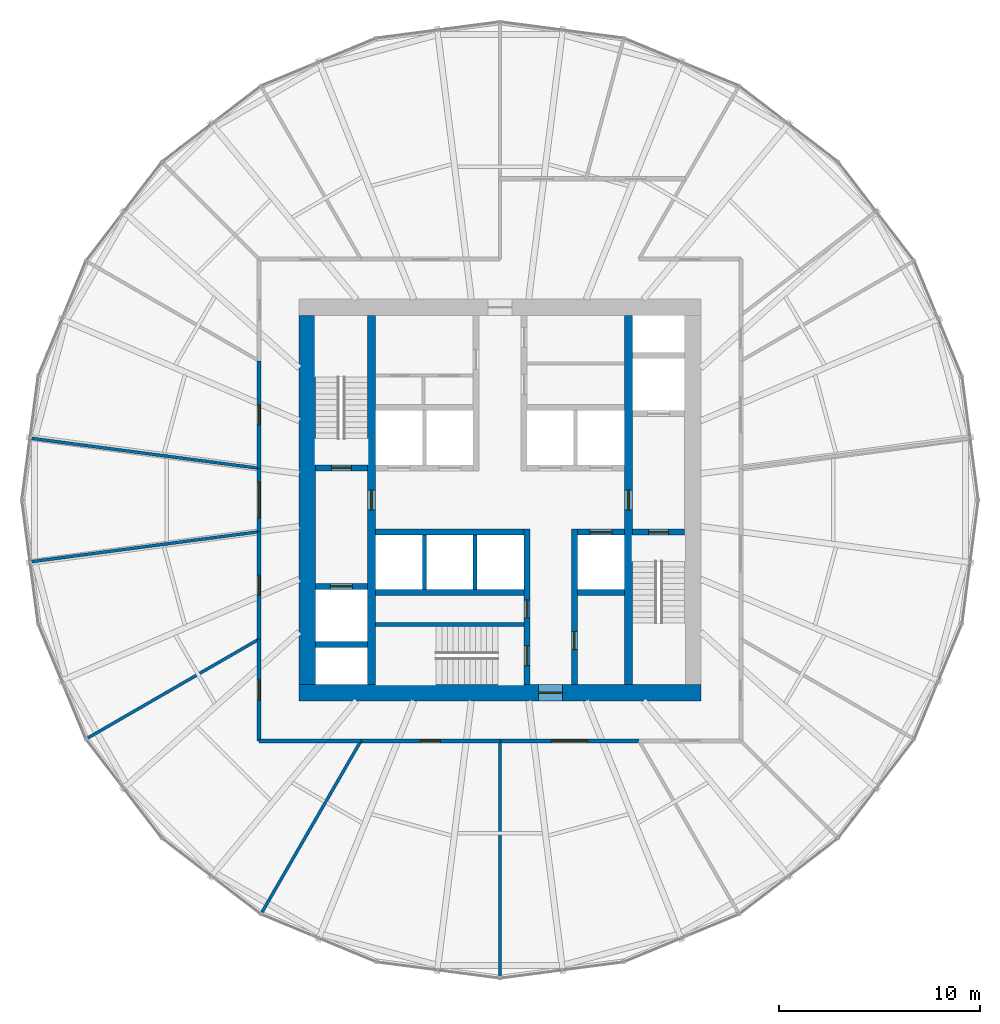
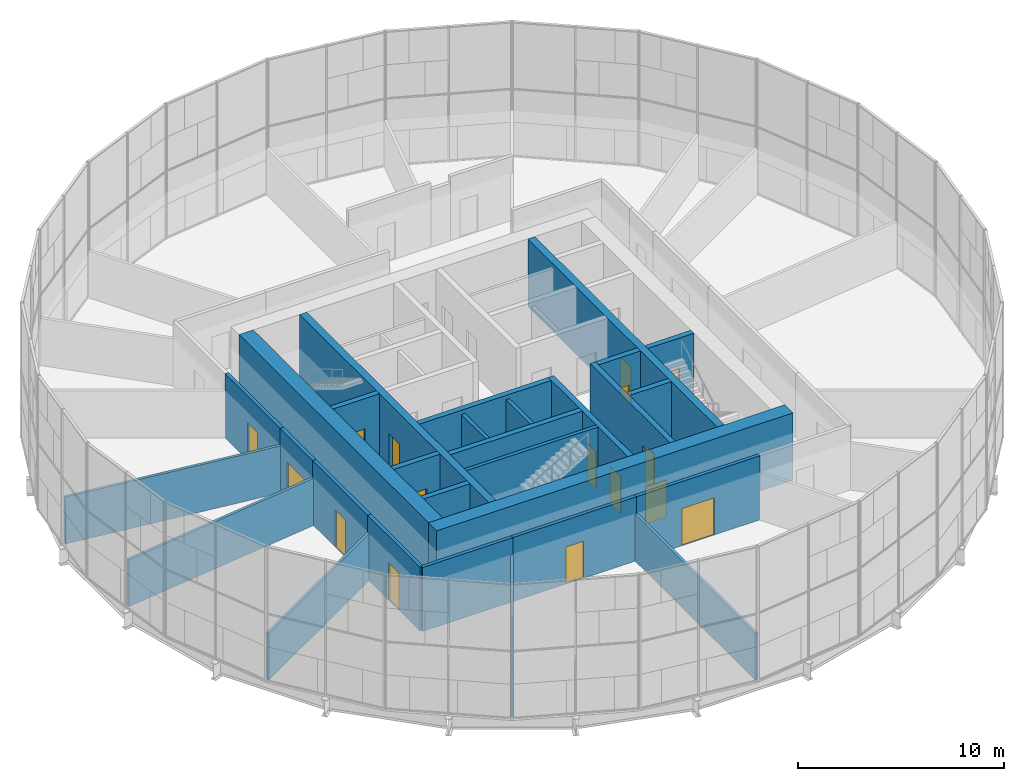
# One storey, part 15 of 18: 29 walls, 16 doors, 16 openings.
"""IFC4 building model written with IfcOpenShell, lengths in metres."""

from ifc_helpers import new_model, si_unit, direction, frame, frame_2d, origin, place, context, subcontext, project, spatial, rectangle, extrude, material, layer, layer_set, type_object, element, fill, save


model = new_model("IFC4")

# Units and contexts
model_context = context("Model", 3, precision=1e-05, world=origin(), true_north=direction((0.0, 1.0)))
body_context = subcontext(model_context, "Body", "Model", "MODEL_VIEW")
ifc_project = project(units=[si_unit("LENGTHUNIT", "METRE"), si_unit("AREAUNIT", "SQUARE_METRE"), si_unit("VOLUMEUNIT", "CUBIC_METRE"), si_unit("PLANEANGLEUNIT", "RADIAN"), si_unit("MASSUNIT", "GRAM", prefix="KILO")], contexts=[model_context])

# Site, building, storey
site_placement = place(None, origin())
site = spatial("IfcSite", under=ifc_project, at=site_placement, CompositionType="ELEMENT")
building_placement = place(site_placement, origin())
building = spatial("IfcBuilding", under=site, at=building_placement, Name="Golbaran Civic Tower", CompositionType="ELEMENT")
storey_placement = place(building_placement, frame((0.0, 0.0, 61.0)))
storey = spatial("IfcBuildingStorey", under=building, at=storey_placement, Name="L14", CompositionType="ELEMENT", Elevation=61.0)

# Wall, opening, door
ifc_material_1 = material(Name="Concrete C50/60", Category="concrete")
ifc_layer_1 = layer(ifc_material_1, 0.39990234375, Name="Concrete C50/60")
ifc_layer_set_1 = layer_set([ifc_layer_1], Name="Concrete C50/60")
wall_type_1 = type_object("IfcWallType", Name="CORE WALL CONCRETE 400", PredefinedType="SOLIDWALL", material=ifc_layer_set_1)
wall_1_placement = place(storey_placement, frame((-6.39990234375, -9.199951171875, 0.0), z_axis=(0.0, 0.0, 1.0), x_axis=(0.0, 1.0, 0.0)))
wall_1 = element("IfcWall", 1, at=wall_1_placement, inside=storey, type_object=wall_type_1, Name="Core wall IW L14", PredefinedType="SOLIDWALL", context=body_context, shape_type="SweptSolid", body=[
    extrude(rectangle(XDim=18.39990234375, YDim=0.39990234375, at=frame_2d((9.199951171875, 0.0))), origin(), (0.0, 0.0, 1.0), 4.0),
])
opening_1_placement = place(wall_1_placement, frame((8.699951171875, 0.0, 0.0)))
opening_1 = element("IfcOpeningElement", 2, at=opening_1_placement, cuts=wall_1, Name="Opening L14.FL1", PredefinedType="OPENING", context=body_context, shape_type="SweptSolid", body=[
    extrude(rectangle(XDim=1.0, YDim=2.199951171875, at=frame_2d((0.5, 1.10009765625))), frame((0.0, 0.2099609375, 0.0), z_axis=(0.0, -1.0, 0.0), x_axis=(1.0, 0.0, 0.0)), (0.0, 0.0, 1.0), 0.419921875),
])
ifc_material_2 = material(Name="Timber door set in steel frame", Category="steel")
door_type_1 = type_object("IfcDoorType", Name="STAIR DOOR 1000x2200", OperationType="SINGLE_SWING_LEFT", PredefinedType="DOOR", material=ifc_material_2)
door_1_placement = place(opening_1_placement, origin())
door_1 = element("IfcDoor", 3, at=door_1_placement, inside=storey, type_object=door_type_1, Name="Fire-fighting lobby FL1 door", OperationType="SINGLE_SWING_LEFT", OverallHeight=2.199951171875, OverallWidth=1.0, PredefinedType="DOOR", context=body_context, shape_type="SweptSolid", body=[
    extrude(rectangle(XDim=1.0, YDim=2.199951171875, at=frame_2d((0.5, 1.10009765625))), frame((0.0, 0.02490234375, 0.0), z_axis=(0.0, -1.0, 0.0), x_axis=(1.0, 0.0, 0.0)), (0.0, 0.0, 1.0), 0.050048828125),
])
fill(opening_1, door_1)

wall_2_placement = place(storey_placement, frame((6.39990234375, 9.199951171875, 0.0), z_axis=(0.0, 0.0, 1.0), x_axis=(0.0, -1.0, 0.0)))
wall_2 = element("IfcWall", 4, at=wall_2_placement, inside=storey, type_object=wall_type_1, Name="Core wall IE L14", PredefinedType="SOLIDWALL", context=body_context, shape_type="SweptSolid", body=[
    extrude(rectangle(XDim=18.39990234375, YDim=0.39990234375, at=frame_2d((9.199951171875, 0.0))), origin(), (0.0, 0.0, 1.0), 4.0),
])
opening_2_placement = place(wall_2_placement, frame((8.699951171875, 0.0, 0.0)))
opening_2 = element("IfcOpeningElement", 5, at=opening_2_placement, cuts=wall_2, Name="Opening L14.FL2", PredefinedType="OPENING", context=body_context, shape_type="SweptSolid", body=[
    extrude(rectangle(XDim=1.0, YDim=2.199951171875, at=frame_2d((0.5, 1.10009765625))), frame((0.0, 0.2099609375, 0.0), z_axis=(0.0, -1.0, 0.0), x_axis=(1.0, 0.0, 0.0)), (0.0, 0.0, 1.0), 0.419921875),
])
door_2_placement = place(opening_2_placement, origin())
door_2 = element("IfcDoor", 6, at=door_2_placement, inside=storey, type_object=door_type_1, Name="Fire-fighting lobby FL2 door", OperationType="SINGLE_SWING_RIGHT", OverallHeight=2.199951171875, OverallWidth=1.0, PredefinedType="DOOR", context=body_context, shape_type="SweptSolid", body=[
    extrude(rectangle(XDim=1.0, YDim=2.199951171875, at=frame_2d((0.5, 1.10009765625))), frame((0.0, 0.02490234375, 0.0), z_axis=(0.0, -1.0, 0.0), x_axis=(1.0, 0.0, 0.0)), (0.0, 0.0, 1.0), 0.050048828125),
])
fill(opening_2, door_2)

ifc_layer_2 = layer(ifc_material_1, 0.800048828125, Name="Concrete C50/60")
ifc_layer_set_2 = layer_set([ifc_layer_2], Name="Concrete C50/60")
wall_type_2 = type_object("IfcWallType", Name="CORE WALL CONCRETE 800", PredefinedType="SOLIDWALL", material=ifc_layer_set_2)
wall_3_placement = place(storey_placement, frame((10.0, -9.60009765625, 0.0), z_axis=(0.0, 0.0, 1.0), x_axis=(-1.0, 0.0, 0.0)))
wall_3 = element("IfcWall", 7, at=wall_3_placement, inside=storey, type_object=wall_type_2, Name="Core wall CS L14", PredefinedType="SOLIDWALL", context=body_context, shape_type="SweptSolid", body=[
    extrude(rectangle(XDim=20.0, YDim=0.800048828125, at=frame_2d((10.0, 0.0))), origin(), (0.0, 0.0, 1.0), 4.0),
])
opening_3_placement = place(wall_3_placement, frame((6.875, 0.0, 0.0)))
opening_3 = element("IfcOpeningElement", 8, at=opening_3_placement, cuts=wall_3, Name="Opening L14.CS", PredefinedType="OPENING", context=body_context, shape_type="SweptSolid", body=[
    extrude(rectangle(XDim=1.199951171875, YDim=2.199951171875, at=frame_2d((0.60009765625, 1.10009765625))), frame((0.0, 0.409912109375, 0.0), z_axis=(0.0, -1.0, 0.0), x_axis=(1.0, 0.0, 0.0)), (0.0, 0.0, 1.0), 0.820068359375),
])
door_type_2 = type_object("IfcDoorType", Name="CORE DOOR 1200x2200", OperationType="DOUBLE_DOOR_SINGLE_SWING", PredefinedType="DOOR", material=ifc_material_2)
door_3_placement = place(opening_3_placement, origin())
door_3 = element("IfcDoor", 9, at=door_3_placement, inside=storey, type_object=door_type_2, Name="Core door south", OperationType="DOUBLE_DOOR_SINGLE_SWING", OverallHeight=2.199951171875, OverallWidth=1.199951171875, PredefinedType="DOOR", context=body_context, shape_type="SweptSolid", body=[
    extrude(rectangle(XDim=1.199951171875, YDim=2.199951171875, at=frame_2d((0.60009765625, 1.10009765625))), frame((0.0, 0.02490234375, 0.0), z_axis=(0.0, -1.0, 0.0), x_axis=(1.0, 0.0, 0.0)), (0.0, 0.0, 1.0), 0.050048828125),
])
fill(opening_3, door_3)

# Wall
wall_4_placement = place(storey_placement, frame((-9.60009765625, 9.199951171875, 0.0), z_axis=(0.0, 0.0, 1.0), x_axis=(0.0, -1.0, 0.0)))
element("IfcWall", 10, at=wall_4_placement, inside=storey, type_object=wall_type_2, Name="Core wall CW L14", PredefinedType="SOLIDWALL", context=body_context, shape_type="SweptSolid", body=[
    extrude(rectangle(XDim=18.39990234375, YDim=0.800048828125, at=frame_2d((9.199951171875, 0.0))), origin(), (0.0, 0.0, 1.0), 4.0),
])

# Wall, opening, door
ifc_material_3 = material(Name="Gypsum board on steel studs, fire-rated", Category="steel")
ifc_layer_3 = layer(ifc_material_3, 0.199951171875, Name="Gypsum board on steel studs, fire-rated")
ifc_layer_set_3 = layer_set([ifc_layer_3], Name="Gypsum board on steel studs, fire-rated")
wall_type_3 = type_object("IfcWallType", Name="CORRIDOR WALL 200", PredefinedType="PARTITIONING", material=ifc_layer_set_3)
wall_5_placement = place(storey_placement, frame((-12.0, 6.92822265625, 0.0), z_axis=(0.0, 0.0, 1.0), x_axis=(0.0, -1.0, 0.0)))
wall_5 = element("IfcWall", 11, at=wall_5_placement, inside=storey, type_object=wall_type_3, Name="Corridor wall L14", PredefinedType="PARTITIONING", context=body_context, shape_type="SweptSolid", body=[
    extrude(rectangle(XDim=5.348388671875, YDim=0.199951171875, at=frame_2d((2.67431640625, 0.0))), origin(), (0.0, 0.0, 1.0), 3.800048828125),
])
opening_4_placement = place(wall_5_placement, frame((2.174072265625, 0.0, 0.0)))
opening_4 = element("IfcOpeningElement", 12, at=opening_4_placement, cuts=wall_5, Name="Opening L14.10", PredefinedType="OPENING", context=body_context, shape_type="SweptSolid", body=[
    extrude(rectangle(XDim=1.0, YDim=2.199951171875, at=frame_2d((0.5, 1.10009765625))), frame((0.0, 0.10986328125, 0.0), z_axis=(0.0, -1.0, 0.0), x_axis=(1.0, 0.0, 0.0)), (0.0, 0.0, 1.0), 0.219970703125),
])
door_type_3 = type_object("IfcDoorType", Name="OFFICE DOOR 1000x2200", OperationType="SINGLE_SWING_LEFT", PredefinedType="DOOR", material=ifc_material_2)
door_4_placement = place(opening_4_placement, origin())
door_4 = element("IfcDoor", 13, at=door_4_placement, inside=storey, type_object=door_type_3, Name="Project Room door L14", OperationType="SINGLE_SWING_RIGHT", OverallHeight=2.199951171875, OverallWidth=1.0, PredefinedType="DOOR", context=body_context, shape_type="SweptSolid", body=[
    extrude(rectangle(XDim=1.0, YDim=2.199951171875, at=frame_2d((0.5, 1.10009765625))), frame((0.0, 0.02490234375, 0.0), z_axis=(0.0, -1.0, 0.0), x_axis=(1.0, 0.0, 0.0)), (0.0, 0.0, 1.0), 0.050048828125),
])
fill(opening_4, door_4)

wall_6_placement = place(storey_placement, frame((-12.0, 1.579833984375, 0.0), z_axis=(0.0, 0.0, 1.0), x_axis=(0.0, -1.0, 0.0)))
wall_6 = element("IfcWall", 14, at=wall_6_placement, inside=storey, type_object=wall_type_3, Name="Corridor wall L14", PredefinedType="PARTITIONING", context=body_context, shape_type="SweptSolid", body=[
    extrude(rectangle(XDim=3.15966796875, YDim=0.199951171875, at=frame_2d((1.579833984375, 0.0))), origin(), (0.0, 0.0, 1.0), 3.800048828125),
])
opening_5_placement = place(wall_6_placement, frame((0.679931640625, 0.0, 0.0)))
opening_5 = element("IfcOpeningElement", 15, at=opening_5_placement, cuts=wall_6, Name="Opening L14.11", PredefinedType="OPENING", context=body_context, shape_type="SweptSolid", body=[
    extrude(rectangle(XDim=1.800048828125, YDim=2.199951171875, at=frame_2d((0.89990234375, 1.10009765625))), frame((0.0, 0.10986328125, 0.0), z_axis=(0.0, -1.0, 0.0), x_axis=(1.0, 0.0, 0.0)), (0.0, 0.0, 1.0), 0.219970703125),
])
door_type_4 = type_object("IfcDoorType", Name="OFFICE DOUBLE DOOR 1800x2200", OperationType="DOUBLE_DOOR_SINGLE_SWING", PredefinedType="DOOR", material=ifc_material_2)
door_5_placement = place(opening_5_placement, origin())
door_5 = element("IfcDoor", 16, at=door_5_placement, inside=storey, type_object=door_type_4, Name="Open Office door L14", OperationType="DOUBLE_DOOR_SINGLE_SWING", OverallHeight=2.199951171875, OverallWidth=1.800048828125, PredefinedType="DOOR", context=body_context, shape_type="SweptSolid", body=[
    extrude(rectangle(XDim=1.800048828125, YDim=2.199951171875, at=frame_2d((0.89990234375, 1.10009765625))), frame((0.0, 0.02490234375, 0.0), z_axis=(0.0, -1.0, 0.0), x_axis=(1.0, 0.0, 0.0)), (0.0, 0.0, 1.0), 0.050048828125),
])
fill(opening_5, door_5)

wall_7_placement = place(storey_placement, frame((-12.0, -1.579833984375, 0.0), z_axis=(0.0, 0.0, 1.0), x_axis=(0.0, -1.0, 0.0)))
wall_7 = element("IfcWall", 17, at=wall_7_placement, inside=storey, type_object=wall_type_3, Name="Corridor wall L14", PredefinedType="PARTITIONING", context=body_context, shape_type="SweptSolid", body=[
    extrude(rectangle(XDim=5.348388671875, YDim=0.199951171875, at=frame_2d((2.67431640625, 0.0))), origin(), (0.0, 0.0, 1.0), 3.800048828125),
])
opening_6_placement = place(wall_7_placement, frame((2.174072265625, 0.0, 0.0)))
opening_6 = element("IfcOpeningElement", 18, at=opening_6_placement, cuts=wall_7, Name="Opening L14.12", PredefinedType="OPENING", context=body_context, shape_type="SweptSolid", body=[
    extrude(rectangle(XDim=1.0, YDim=2.199951171875, at=frame_2d((0.5, 1.10009765625))), frame((0.0, 0.10986328125, 0.0), z_axis=(0.0, -1.0, 0.0), x_axis=(1.0, 0.0, 0.0)), (0.0, 0.0, 1.0), 0.219970703125),
])
door_6_placement = place(opening_6_placement, origin())
door_6 = element("IfcDoor", 19, at=door_6_placement, inside=storey, type_object=door_type_3, Name="Interview Room door L14", OperationType="SINGLE_SWING_RIGHT", OverallHeight=2.199951171875, OverallWidth=1.0, PredefinedType="DOOR", context=body_context, shape_type="SweptSolid", body=[
    extrude(rectangle(XDim=1.0, YDim=2.199951171875, at=frame_2d((0.5, 1.10009765625))), frame((0.0, 0.02490234375, 0.0), z_axis=(0.0, -1.0, 0.0), x_axis=(1.0, 0.0, 0.0)), (0.0, 0.0, 1.0), 0.050048828125),
])
fill(opening_6, door_6)

wall_8_placement = place(storey_placement, frame((-12.0, -6.92822265625, 0.0), z_axis=(0.0, 0.0, 1.0), x_axis=(0.0, -1.0, 0.0)))
wall_8 = element("IfcWall", 20, at=wall_8_placement, inside=storey, type_object=wall_type_3, Name="Corridor wall L14", PredefinedType="PARTITIONING", context=body_context, shape_type="SweptSolid", body=[
    extrude(rectangle(XDim=5.07177734375, YDim=0.199951171875, at=frame_2d((2.535888671875, 0.0))), origin(), (0.0, 0.0, 1.0), 3.800048828125),
])
opening_7_placement = place(wall_8_placement, frame((2.035888671875, 0.0, 0.0)))
opening_7 = element("IfcOpeningElement", 21, at=opening_7_placement, cuts=wall_8, Name="Opening L14.13", PredefinedType="OPENING", context=body_context, shape_type="SweptSolid", body=[
    extrude(rectangle(XDim=1.0, YDim=2.199951171875, at=frame_2d((0.5, 1.10009765625))), frame((0.0, 0.10986328125, 0.0), z_axis=(0.0, -1.0, 0.0), x_axis=(1.0, 0.0, 0.0)), (0.0, 0.0, 1.0), 0.219970703125),
])
door_7_placement = place(opening_7_placement, origin())
door_7 = element("IfcDoor", 22, at=door_7_placement, inside=storey, type_object=door_type_3, Name="Quiet Room door L14", OperationType="SINGLE_SWING_RIGHT", OverallHeight=2.199951171875, OverallWidth=1.0, PredefinedType="DOOR", context=body_context, shape_type="SweptSolid", body=[
    extrude(rectangle(XDim=1.0, YDim=2.199951171875, at=frame_2d((0.5, 1.10009765625))), frame((0.0, 0.02490234375, 0.0), z_axis=(0.0, -1.0, 0.0), x_axis=(1.0, 0.0, 0.0)), (0.0, 0.0, 1.0), 0.050048828125),
])
fill(opening_7, door_7)

# Wall
wall_9_placement = place(storey_placement, frame((-12.0, -12.0, 0.0), z_axis=(0.0, 0.0, 1.0), x_axis=(1.0, 0.0, 0.0)))
element("IfcWall", 23, at=wall_9_placement, inside=storey, type_object=wall_type_3, Name="Corridor wall L14", PredefinedType="PARTITIONING", context=body_context, shape_type="SweptSolid", body=[
    extrude(rectangle(XDim=5.07177734375, YDim=0.199951171875, at=frame_2d((2.535888671875, 0.0))), origin(), (0.0, 0.0, 1.0), 3.800048828125),
])

# Wall, opening, door
wall_10_placement = place(storey_placement, frame((-6.92822265625, -12.0, 0.0), z_axis=(0.0, 0.0, 1.0), x_axis=(1.0, 0.0, 0.0)))
wall_10 = element("IfcWall", 24, at=wall_10_placement, inside=storey, type_object=wall_type_3, Name="Corridor wall L14", PredefinedType="PARTITIONING", context=body_context, shape_type="SweptSolid", body=[
    extrude(rectangle(XDim=6.92822265625, YDim=0.199951171875, at=frame_2d((3.464111328125, 0.0))), origin(), (0.0, 0.0, 1.0), 3.800048828125),
])
opening_8_placement = place(wall_10_placement, frame((2.964111328125, 0.0, 0.0)))
opening_8 = element("IfcOpeningElement", 25, at=opening_8_placement, cuts=wall_10, Name="Opening L14.14", PredefinedType="OPENING", context=body_context, shape_type="SweptSolid", body=[
    extrude(rectangle(XDim=1.0, YDim=2.199951171875, at=frame_2d((0.5, 1.10009765625))), frame((0.0, 0.10986328125, 0.0), z_axis=(0.0, -1.0, 0.0), x_axis=(1.0, 0.0, 0.0)), (0.0, 0.0, 1.0), 0.219970703125),
])
door_8_placement = place(opening_8_placement, origin())
door_8 = element("IfcDoor", 26, at=door_8_placement, inside=storey, type_object=door_type_3, Name="Meeting Room door L14", OperationType="SINGLE_SWING_LEFT", OverallHeight=2.199951171875, OverallWidth=1.0, PredefinedType="DOOR", context=body_context, shape_type="SweptSolid", body=[
    extrude(rectangle(XDim=1.0, YDim=2.199951171875, at=frame_2d((0.5, 1.10009765625))), frame((0.0, 0.02490234375, 0.0), z_axis=(0.0, -1.0, 0.0), x_axis=(1.0, 0.0, 0.0)), (0.0, 0.0, 1.0), 0.050048828125),
])
fill(opening_8, door_8)

wall_11_placement = place(storey_placement, frame((0.0, -12.0, 0.0), z_axis=(0.0, 0.0, 1.0), x_axis=(1.0, 0.0, 0.0)))
wall_11 = element("IfcWall", 27, at=wall_11_placement, inside=storey, type_object=wall_type_3, Name="Corridor wall L14", PredefinedType="PARTITIONING", context=body_context, shape_type="SweptSolid", body=[
    extrude(rectangle(XDim=6.92822265625, YDim=0.199951171875, at=frame_2d((3.464111328125, 0.0))), origin(), (0.0, 0.0, 1.0), 3.800048828125),
])
opening_9_placement = place(wall_11_placement, frame((2.564208984375, 0.0, 0.0)))
opening_9 = element("IfcOpeningElement", 28, at=opening_9_placement, cuts=wall_11, Name="Opening L14.15", PredefinedType="OPENING", context=body_context, shape_type="SweptSolid", body=[
    extrude(rectangle(XDim=1.800048828125, YDim=2.199951171875, at=frame_2d((0.89990234375, 1.10009765625))), frame((0.0, 0.10986328125, 0.0), z_axis=(0.0, -1.0, 0.0), x_axis=(1.0, 0.0, 0.0)), (0.0, 0.0, 1.0), 0.219970703125),
])
door_9_placement = place(opening_9_placement, origin())
door_9 = element("IfcDoor", 29, at=door_9_placement, inside=storey, type_object=door_type_4, Name="Open Office door L14", OperationType="DOUBLE_DOOR_SINGLE_SWING", OverallHeight=2.199951171875, OverallWidth=1.800048828125, PredefinedType="DOOR", context=body_context, shape_type="SweptSolid", body=[
    extrude(rectangle(XDim=1.800048828125, YDim=2.199951171875, at=frame_2d((0.89990234375, 1.10009765625))), frame((0.0, 0.02490234375, 0.0), z_axis=(0.0, -1.0, 0.0), x_axis=(1.0, 0.0, 0.0)), (0.0, 0.0, 1.0), 0.050048828125),
])
fill(opening_9, door_9)

# Walls
ifc_material_4 = material(Name="Concrete block", Category="concrete")
ifc_layer_4 = layer(ifc_material_4, 0.199951171875, Name="Concrete block")
ifc_layer_set_4 = layer_set([ifc_layer_4], Name="Concrete block")
wall_type_4 = type_object("IfcWallType", Name="LIFT SEPARATOR WALL 200", PredefinedType="SOLIDWALL", material=ifc_layer_set_4)
for number, where, z_axis, x_axis, name in (
    (30, (-3.75, -1.75, 0.0), (0.0, 0.0, 1.0), (0.0, -1.0, 0.0), "Core partition SSW L14"),
    (31, (-1.25, -1.75, 0.0), (0.0, 0.0, 1.0), (0.0, -1.0, 0.0), "Core partition SSM L14"),
):
    element("IfcWall", number, at=place(storey_placement, frame(where, z_axis=z_axis, x_axis=x_axis)), inside=storey, type_object=wall_type_4, Name=name, PredefinedType="SOLIDWALL", context=body_context, shape_type="SweptSolid", body=[
        extrude(rectangle(XDim=2.699951171875, YDim=0.199951171875, at=frame_2d((1.35009765625, 0.0))), origin(), (0.0, 0.0, 1.0), 3.75),
    ])
ifc_material_5 = material(Name="Gypsum board on steel studs", Category="steel")
ifc_layer_5 = layer(ifc_material_5, 0.14990234375, Name="Gypsum board on steel studs")
ifc_layer_set_5 = layer_set([ifc_layer_5], Name="Gypsum board on steel studs")
wall_type_5 = type_object("IfcWallType", Name="OFFICE PARTITION 150", PredefinedType="PARTITIONING", material=ifc_layer_set_5)
for number, where, z_axis, x_axis, name in (
    (32, (-12.0, 1.579833984375, 0.0), (0.0, 0.0, 1.0), (-0.99144592532, 0.130518110492, 0.0), "Partition 172.5 L14"),
    (33, (-12.0, -1.579833984375, 0.0), (0.0, 0.0, 1.0), (-0.99144592532, -0.130518110492, 0.0), "Partition 187.5 L14"),
):
    element("IfcWall", number, at=place(storey_placement, frame(where, z_axis=z_axis, x_axis=x_axis)), inside=storey, type_object=wall_type_5, Name=name, PredefinedType="PARTITIONING", context=body_context, shape_type="SweptSolid", body=[
        extrude(rectangle(XDim=11.419677734375, YDim=0.14990234375, at=frame_2d((5.7099609375, 0.0))), origin(), (0.0, 0.0, 1.0), 2.7900390625),
    ])
for number, where, z_axis, x_axis, name in (
    (34, (-12.0, -6.92822265625, 0.0), (0.0, 0.0, 1.0), (-0.866031940362, -0.499988678145, 0.0), "Partition 210 L14"),
    (35, (-6.92822265625, -12.0, 0.0), (0.0, 0.0, 1.0), (-0.499988678145, -0.866031940362, 0.0), "Partition 240 L14"),
):
    element("IfcWall", number, at=place(storey_placement, frame(where, z_axis=z_axis, x_axis=x_axis)), inside=storey, type_object=wall_type_5, Name=name, PredefinedType="PARTITIONING", context=body_context, shape_type="SweptSolid", body=[
        extrude(rectangle(XDim=9.869873046875, YDim=0.14990234375, at=frame_2d((4.93505859375, 0.0))), origin(), (0.0, 0.0, 1.0), 2.7900390625),
    ])
wall_12_placement = place(storey_placement, frame((0.0, -12.0, 0.0), z_axis=(0.0, 0.0, 1.0), x_axis=(0.0, -1.0, 0.0)))
element("IfcWall", 36, at=wall_12_placement, inside=storey, type_object=wall_type_5, Name="Partition 270 L14", PredefinedType="PARTITIONING", context=body_context, shape_type="SweptSolid", body=[
    extrude(rectangle(XDim=11.726318359375, YDim=0.14990234375, at=frame_2d((5.86328125, 0.0))), origin(), (0.0, 0.0, 1.0), 2.7900390625),
])
ifc_layer_6 = layer(ifc_material_1, 0.199951171875, Name="Concrete C50/60")
ifc_layer_set_6 = layer_set([ifc_layer_6], Name="Concrete C50/60")
wall_type_6 = type_object("IfcWallType", Name="SHAFT WALL CONCRETE 200", PredefinedType="SOLIDWALL", material=ifc_layer_set_6)
wall_13_placement = place(storey_placement, frame((-6.199951171875, -6.199951171875, 0.0), z_axis=(0.0, 0.0, 1.0), x_axis=(1.0, 0.0, 0.0)))
element("IfcWall", 37, at=wall_13_placement, inside=storey, type_object=wall_type_6, Name="Core wall S3N L14", PredefinedType="SOLIDWALL", context=body_context, shape_type="SweptSolid", body=[
    extrude(rectangle(XDim=7.39990234375, YDim=0.199951171875, at=frame_2d((3.699951171875, 0.0))), origin(), (0.0, 0.0, 1.0), 4.0),
])
ifc_layer_7 = layer(ifc_material_1, 0.300048828125, Name="Concrete C50/60")
ifc_layer_set_7 = layer_set([ifc_layer_7], Name="Concrete C50/60")
wall_type_7 = type_object("IfcWallType", Name="SHAFT WALL CONCRETE 300", PredefinedType="SOLIDWALL", material=ifc_layer_set_7)
wall_14_placement = place(storey_placement, frame((-6.199951171875, -1.60009765625, 0.0), z_axis=(0.0, 0.0, 1.0), x_axis=(1.0, 0.0, 0.0)))
element("IfcWall", 38, at=wall_14_placement, inside=storey, type_object=wall_type_7, Name="Core wall FSW L14", PredefinedType="SOLIDWALL", context=body_context, shape_type="SweptSolid", body=[
    extrude(rectangle(XDim=7.39990234375, YDim=0.300048828125, at=frame_2d((3.699951171875, 0.0))), origin(), (0.0, 0.0, 1.0), 4.0),
])

# Wall, opening, door
wall_15_placement = place(storey_placement, frame((3.85009765625, -1.60009765625, 0.0), z_axis=(0.0, 0.0, 1.0), x_axis=(1.0, 0.0, 0.0)))
wall_15 = element("IfcWall", 39, at=wall_15_placement, inside=storey, type_object=wall_type_7, Name="Core wall FSE L14", PredefinedType="SOLIDWALL", context=body_context, shape_type="SweptSolid", body=[
    extrude(rectangle(XDim=2.349853515625, YDim=0.300048828125, at=frame_2d((1.1748046875, 0.0))), origin(), (0.0, 0.0, 1.0), 4.0),
])
opening_10_placement = place(wall_15_placement, frame((0.625, 0.0, 0.0)))
opening_10 = element("IfcOpeningElement", 40, at=opening_10_placement, cuts=wall_15, Name="Opening L14.LD-V1", PredefinedType="OPENING", context=body_context, shape_type="SweptSolid", body=[
    extrude(rectangle(XDim=1.10009765625, YDim=2.199951171875, at=frame_2d((0.550048828125, 1.10009765625))), frame((0.0, 0.159912109375, 0.0), z_axis=(0.0, -1.0, 0.0), x_axis=(1.0, 0.0, 0.0)), (0.0, 0.0, 1.0), 0.320068359375),
])
ifc_material_6 = material(Name="Stainless steel", Category="steel")
door_type_5 = type_object("IfcDoorType", Name="LIFT LANDING DOOR 1100x2200", OperationType="SLIDING_TO_LEFT", PredefinedType="DOOR", material=ifc_material_6)
door_10_placement = place(opening_10_placement, origin())
door_10 = element("IfcDoor", 41, at=door_10_placement, inside=storey, type_object=door_type_5, Name="Lift landing door V1", OperationType="SLIDING_TO_LEFT", OverallHeight=2.199951171875, OverallWidth=1.10009765625, PredefinedType="DOOR", context=body_context, shape_type="SweptSolid", body=[
    extrude(rectangle(XDim=1.10009765625, YDim=2.199951171875, at=frame_2d((0.550048828125, 1.10009765625))), frame((0.0, 0.02490234375, 0.0), z_axis=(0.0, -1.0, 0.0), x_axis=(1.0, 0.0, 0.0)), (0.0, 0.0, 1.0), 0.050048828125),
])
fill(opening_10, door_10)

# Walls
wall_16_placement = place(storey_placement, frame((-6.199951171875, -4.60009765625, 0.0), z_axis=(0.0, 0.0, 1.0), x_axis=(1.0, 0.0, 0.0)))
element("IfcWall", 42, at=wall_16_placement, inside=storey, type_object=wall_type_7, Name="Core wall BSW L14", PredefinedType="SOLIDWALL", context=body_context, shape_type="SweptSolid", body=[
    extrude(rectangle(XDim=7.39990234375, YDim=0.300048828125, at=frame_2d((3.699951171875, 0.0))), origin(), (0.0, 0.0, 1.0), 4.0),
])
wall_17_placement = place(storey_placement, frame((3.85009765625, -4.60009765625, 0.0), z_axis=(0.0, 0.0, 1.0), x_axis=(1.0, 0.0, 0.0)))
element("IfcWall", 43, at=wall_17_placement, inside=storey, type_object=wall_type_7, Name="Core wall BSE L14", PredefinedType="SOLIDWALL", context=body_context, shape_type="SweptSolid", body=[
    extrude(rectangle(XDim=2.349853515625, YDim=0.300048828125, at=frame_2d((1.1748046875, 0.0))), origin(), (0.0, 0.0, 1.0), 4.0),
])

# Wall, openings, doors
wall_18_placement = place(storey_placement, frame((1.35009765625, -1.449951171875, 0.0), z_axis=(0.0, 0.0, 1.0), x_axis=(0.0, -1.0, 0.0)))
wall_18 = element("IfcWall", 44, at=wall_18_placement, inside=storey, type_object=wall_type_7, Name="Core wall PSW L14", PredefinedType="SOLIDWALL", context=body_context, shape_type="SweptSolid", body=[
    extrude(rectangle(XDim=7.75, YDim=0.300048828125, at=frame_2d((3.875, 0.0))), origin(), (0.0, 0.0, 1.0), 4.0),
])
opening_11_placement = place(wall_18_placement, frame((5.800048828125, 0.0, 0.0)))
opening_11 = element("IfcOpeningElement", 45, at=opening_11_placement, cuts=wall_18, Name="Opening L14.S3", PredefinedType="OPENING", context=body_context, shape_type="SweptSolid", body=[
    extrude(rectangle(XDim=1.0, YDim=2.199951171875, at=frame_2d((0.5, 1.10009765625))), frame((0.0, 0.159912109375, 0.0), z_axis=(0.0, -1.0, 0.0), x_axis=(1.0, 0.0, 0.0)), (0.0, 0.0, 1.0), 0.320068359375),
])
opening_12_placement = place(wall_18_placement, frame((3.52490234375, 0.0, 0.0)))
opening_12 = element("IfcOpeningElement", 46, at=opening_12_placement, cuts=wall_18, Name="Opening L14.RE", PredefinedType="OPENING", context=body_context, shape_type="SweptSolid", body=[
    extrude(rectangle(XDim=0.89990234375, YDim=2.199951171875, at=frame_2d((0.449951171875, 1.10009765625))), frame((0.0, 0.159912109375, 0.0), z_axis=(0.0, -1.0, 0.0), x_axis=(1.0, 0.0, 0.0)), (0.0, 0.0, 1.0), 0.320068359375),
])
door_type_6 = type_object("IfcDoorType", Name="RISER DOOR 900x2200", OperationType="SINGLE_SWING_LEFT", PredefinedType="DOOR", material=ifc_material_2)
door_11_placement = place(opening_12_placement, origin())
door_11 = element("IfcDoor", 47, at=door_11_placement, inside=storey, type_object=door_type_6, Name="Electrical riser door", OperationType="SINGLE_SWING_RIGHT", OverallHeight=2.199951171875, OverallWidth=0.89990234375, PredefinedType="DOOR", context=body_context, shape_type="SweptSolid", body=[
    extrude(rectangle(XDim=0.89990234375, YDim=2.199951171875, at=frame_2d((0.449951171875, 1.10009765625))), frame((0.0, 0.02490234375, 0.0), z_axis=(0.0, -1.0, 0.0), x_axis=(1.0, 0.0, 0.0)), (0.0, 0.0, 1.0), 0.050048828125),
])
fill(opening_12, door_11)
door_12_placement = place(opening_11_placement, origin())
door_12 = element("IfcDoor", 48, at=door_12_placement, inside=storey, type_object=door_type_1, Name="Stair S3 door", OperationType="SINGLE_SWING_RIGHT", OverallHeight=2.199951171875, OverallWidth=1.0, PredefinedType="DOOR", context=body_context, shape_type="SweptSolid", body=[
    extrude(rectangle(XDim=1.0, YDim=2.199951171875, at=frame_2d((0.5, 1.10009765625))), frame((0.0, 0.02490234375, 0.0), z_axis=(0.0, -1.0, 0.0), x_axis=(1.0, 0.0, 0.0)), (0.0, 0.0, 1.0), 0.050048828125),
])
fill(opening_11, door_12)

# Wall, opening, door
wall_19_placement = place(storey_placement, frame((3.699951171875, -1.449951171875, 0.0), z_axis=(0.0, 0.0, 1.0), x_axis=(0.0, -1.0, 0.0)))
wall_19 = element("IfcWall", 49, at=wall_19_placement, inside=storey, type_object=wall_type_7, Name="Core wall PSE L14", PredefinedType="SOLIDWALL", context=body_context, shape_type="SweptSolid", body=[
    extrude(rectangle(XDim=7.75, YDim=0.300048828125, at=frame_2d((3.875, 0.0))), origin(), (0.0, 0.0, 1.0), 4.0),
])
opening_13_placement = place(wall_19_placement, frame((5.10009765625, 0.0, 0.0)))
opening_13 = element("IfcOpeningElement", 50, at=opening_13_placement, cuts=wall_19, Name="Opening L14.RM", PredefinedType="OPENING", context=body_context, shape_type="SweptSolid", body=[
    extrude(rectangle(XDim=0.89990234375, YDim=2.199951171875, at=frame_2d((0.449951171875, 1.10009765625))), frame((0.0, 0.159912109375, 0.0), z_axis=(0.0, -1.0, 0.0), x_axis=(1.0, 0.0, 0.0)), (0.0, 0.0, 1.0), 0.320068359375),
])
door_13_placement = place(opening_13_placement, origin())
door_13 = element("IfcDoor", 51, at=door_13_placement, inside=storey, type_object=door_type_6, Name="Mechanical riser door", OperationType="SINGLE_SWING_RIGHT", OverallHeight=2.199951171875, OverallWidth=0.89990234375, PredefinedType="DOOR", context=body_context, shape_type="SweptSolid", body=[
    extrude(rectangle(XDim=0.89990234375, YDim=2.199951171875, at=frame_2d((0.449951171875, 1.10009765625))), frame((0.0, 0.02490234375, 0.0), z_axis=(0.0, -1.0, 0.0), x_axis=(1.0, 0.0, 0.0)), (0.0, 0.0, 1.0), 0.050048828125),
])
fill(opening_13, door_13)

wall_20_placement = place(storey_placement, frame((-9.199951171875, 1.60009765625, 0.0), z_axis=(0.0, 0.0, 1.0), x_axis=(1.0, 0.0, 0.0)))
wall_20 = element("IfcWall", 52, at=wall_20_placement, inside=storey, type_object=wall_type_7, Name="Core wall XW1 L14", PredefinedType="SOLIDWALL", context=body_context, shape_type="SweptSolid", body=[
    extrude(rectangle(XDim=2.599853515625, YDim=0.300048828125, at=frame_2d((1.2998046875, 0.0))), origin(), (0.0, 0.0, 1.0), 4.0),
])
opening_14_placement = place(wall_20_placement, frame((0.800048828125, 0.0, 0.0)))
opening_14 = element("IfcOpeningElement", 53, at=opening_14_placement, cuts=wall_20, Name="Opening L14.S1", PredefinedType="OPENING", context=body_context, shape_type="SweptSolid", body=[
    extrude(rectangle(XDim=1.0, YDim=2.199951171875, at=frame_2d((0.5, 1.10009765625))), frame((0.0, 0.159912109375, 0.0), z_axis=(0.0, -1.0, 0.0), x_axis=(1.0, 0.0, 0.0)), (0.0, 0.0, 1.0), 0.320068359375),
])
door_14_placement = place(opening_14_placement, origin())
door_14 = element("IfcDoor", 54, at=door_14_placement, inside=storey, type_object=door_type_1, Name="Stair S1 door", OperationType="SINGLE_SWING_LEFT", OverallHeight=2.199951171875, OverallWidth=1.0, PredefinedType="DOOR", context=body_context, shape_type="SweptSolid", body=[
    extrude(rectangle(XDim=1.0, YDim=2.199951171875, at=frame_2d((0.5, 1.10009765625))), frame((0.0, 0.02490234375, 0.0), z_axis=(0.0, -1.0, 0.0), x_axis=(1.0, 0.0, 0.0)), (0.0, 0.0, 1.0), 0.050048828125),
])
fill(opening_14, door_14)

wall_21_placement = place(storey_placement, frame((6.60009765625, -1.60009765625, 0.0), z_axis=(0.0, 0.0, 1.0), x_axis=(1.0, 0.0, 0.0)))
wall_21 = element("IfcWall", 55, at=wall_21_placement, inside=storey, type_object=wall_type_7, Name="Core wall XE1 L14", PredefinedType="SOLIDWALL", context=body_context, shape_type="SweptSolid", body=[
    extrude(rectangle(XDim=2.599853515625, YDim=0.300048828125, at=frame_2d((1.2998046875, 0.0))), origin(), (0.0, 0.0, 1.0), 4.0),
])
opening_15_placement = place(wall_21_placement, frame((0.800048828125, 0.0, 0.0)))
opening_15 = element("IfcOpeningElement", 56, at=opening_15_placement, cuts=wall_21, Name="Opening L14.S2", PredefinedType="OPENING", context=body_context, shape_type="SweptSolid", body=[
    extrude(rectangle(XDim=1.0, YDim=2.199951171875, at=frame_2d((0.5, 1.10009765625))), frame((0.0, 0.159912109375, 0.0), z_axis=(0.0, -1.0, 0.0), x_axis=(1.0, 0.0, 0.0)), (0.0, 0.0, 1.0), 0.320068359375),
])
door_15_placement = place(opening_15_placement, origin())
door_15 = element("IfcDoor", 57, at=door_15_placement, inside=storey, type_object=door_type_1, Name="Stair S2 door", OperationType="SINGLE_SWING_LEFT", OverallHeight=2.199951171875, OverallWidth=1.0, PredefinedType="DOOR", context=body_context, shape_type="SweptSolid", body=[
    extrude(rectangle(XDim=1.0, YDim=2.199951171875, at=frame_2d((0.5, 1.10009765625))), frame((0.0, 0.02490234375, 0.0), z_axis=(0.0, -1.0, 0.0), x_axis=(1.0, 0.0, 0.0)), (0.0, 0.0, 1.0), 0.050048828125),
])
fill(opening_15, door_15)

wall_22_placement = place(storey_placement, frame((-9.199951171875, -4.300048828125, 0.0), z_axis=(0.0, 0.0, 1.0), x_axis=(1.0, 0.0, 0.0)))
wall_22 = element("IfcWall", 58, at=wall_22_placement, inside=storey, type_object=wall_type_7, Name="Core wall XW2 L14", PredefinedType="SOLIDWALL", context=body_context, shape_type="SweptSolid", body=[
    extrude(rectangle(XDim=2.599853515625, YDim=0.300048828125, at=frame_2d((1.2998046875, 0.0))), origin(), (0.0, 0.0, 1.0), 4.0),
])
opening_16_placement = place(wall_22_placement, frame((0.75, 0.0, 0.0)))
opening_16 = element("IfcOpeningElement", 59, at=opening_16_placement, cuts=wall_22, Name="Opening L14.LD-F1", PredefinedType="OPENING", context=body_context, shape_type="SweptSolid", body=[
    extrude(rectangle(XDim=1.10009765625, YDim=2.199951171875, at=frame_2d((0.550048828125, 1.10009765625))), frame((0.0, 0.159912109375, 0.0), z_axis=(0.0, -1.0, 0.0), x_axis=(1.0, 0.0, 0.0)), (0.0, 0.0, 1.0), 0.320068359375),
])
door_16_placement = place(opening_16_placement, origin())
door_16 = element("IfcDoor", 60, at=door_16_placement, inside=storey, type_object=door_type_5, Name="Lift landing door F1", OperationType="SLIDING_TO_LEFT", OverallHeight=2.199951171875, OverallWidth=1.10009765625, PredefinedType="DOOR", context=body_context, shape_type="SweptSolid", body=[
    extrude(rectangle(XDim=1.10009765625, YDim=2.199951171875, at=frame_2d((0.550048828125, 1.10009765625))), frame((0.0, 0.02490234375, 0.0), z_axis=(0.0, -1.0, 0.0), x_axis=(1.0, 0.0, 0.0)), (0.0, 0.0, 1.0), 0.050048828125),
])
fill(opening_16, door_16)

# Wall
wall_23_placement = place(storey_placement, frame((-9.199951171875, -7.199951171875, 0.0), z_axis=(0.0, 0.0, 1.0), x_axis=(1.0, 0.0, 0.0)))
element("IfcWall", 61, at=wall_23_placement, inside=storey, type_object=wall_type_7, Name="Core wall XW3 L14", PredefinedType="SOLIDWALL", context=body_context, shape_type="SweptSolid", body=[
    extrude(rectangle(XDim=2.599853515625, YDim=0.300048828125, at=frame_2d((1.2998046875, 0.0))), origin(), (0.0, 0.0, 1.0), 4.0),
])

save(model, "model.ifc")
